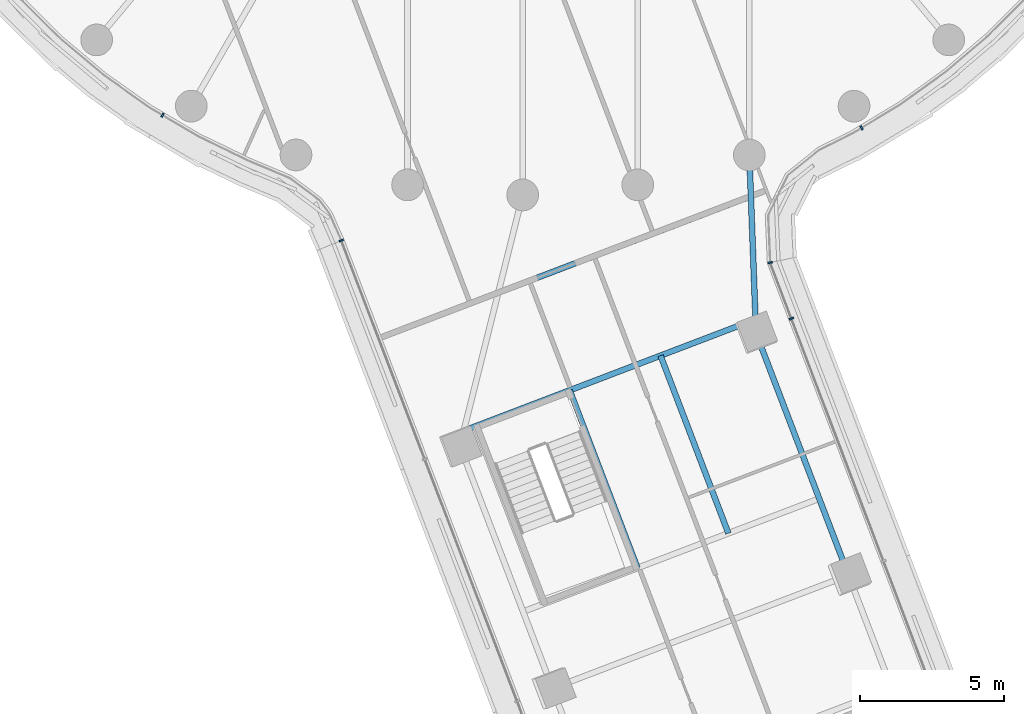
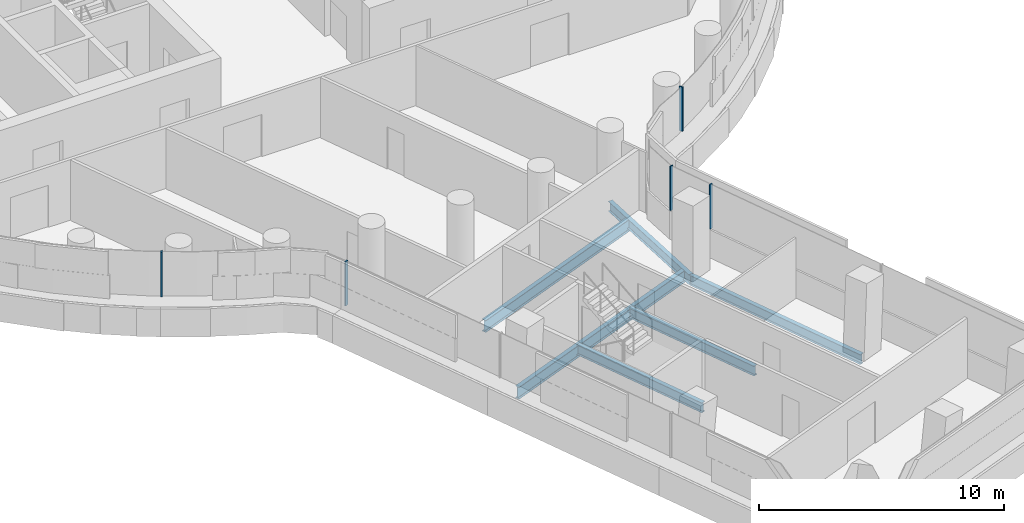
# One storey, part 3 of 32: 6 beams, 5 members, 4 elements without a shape of their own.
"""IFC4 building model written with IfcOpenShell, lengths in metres."""

from ifc_helpers import new_model, si_unit, direction, frame, origin, origin_2d, place, context, subcontext, project, spatial, rectangle, i_section, extrude, material, layer, layer_set, material_profile, profile_set, type_object, element, aggregate, save


model = new_model("IFC4")

# Units and contexts
model_context = context("Model", 3, precision=1e-05, world=origin(), true_north=direction((0.0, 1.0)))
body_context = subcontext(model_context, "Body", "Model", "MODEL_VIEW")
ifc_project = project(units=[si_unit("LENGTHUNIT", "METRE"), si_unit("AREAUNIT", "SQUARE_METRE"), si_unit("VOLUMEUNIT", "CUBIC_METRE"), si_unit("PLANEANGLEUNIT", "RADIAN"), si_unit("MASSUNIT", "GRAM", prefix="KILO")], contexts=[model_context])

# Site, building, storey
site_placement = place(None, origin())
site = spatial("IfcSite", under=ifc_project, at=site_placement, CompositionType="ELEMENT")
building_placement = place(site_placement, origin())
building = spatial("IfcBuilding", under=site, at=building_placement, Name="Tamarind Cross Interchange Tower", CompositionType="ELEMENT")
storey_placement = place(building_placement, frame((0.0, 0.0, 109.75)))
storey = spatial("IfcBuildingStorey", under=building, at=storey_placement, Name="L26", CompositionType="ELEMENT", Elevation=109.75)

# Beams
ifc_material_1 = material(Name="Steel Q355B", Category="steel")
ifc_material_profile_1 = material_profile(ifc_material_1, i_section(OverallWidth=0.198974609375, OverallDepth=0.49609375, WebThickness=0.009033203125, FlangeThickness=0.013916015625, FilletRadius=0.012939453125, at=origin_2d()), Name="HN 496x199x9x14")
ifc_profile_set_1 = profile_set([ifc_material_profile_1], Name="Steel Q355B")
beam_type_1 = type_object("IfcBeamType", Name="Composite beam HN 496x199x9x14 Q355B", PredefinedType="BEAM", material=ifc_profile_set_1)
beam_1_placement = place(storey_placement, frame((11.30859375, -36.200439453125, -0.387939453125), z_axis=(-0.356667558645, 0.934231369956, 0.0), x_axis=(-0.934231369956, -0.356667558645, 0.0)))
element("IfcBeam", 1, at=beam_1_placement, inside=storey, type_object=beam_type_1, Name="Beam S-edgeep3", PredefinedType="BEAM", context=body_context, shape_type="SweptSolid", body=[
    extrude(i_section(OverallWidth=0.198974609375, OverallDepth=0.49609375, WebThickness=0.009033203125, FlangeThickness=0.013916015625, FilletRadius=0.012939453125, at=origin_2d()), origin(), (0.0, 0.0, 1.0), 8.999755859375),
])
beam_2_placement = place(storey_placement, frame((8.0986328125, -27.79248046875, -0.387939453125), z_axis=(-0.037546104323, 0.99929489644, 0.0), x_axis=(-0.99929489644, -0.037546104323, 0.0)))
element("IfcBeam", 2, at=beam_2_placement, inside=storey, type_object=beam_type_1, Name="Beam S-linkep", PredefinedType="BEAM", context=body_context, shape_type="SweptSolid", body=[
    extrude(i_section(OverallWidth=0.198974609375, OverallDepth=0.49609375, WebThickness=0.009033203125, FlangeThickness=0.013916015625, FilletRadius=0.012939453125, at=origin_2d()), origin(), (0.0, 0.0, 1.0), 6.183837890625),
])
for number, where, z_axis, x_axis, name in (
    (3, (1.632080078125, -29.779541015625, -0.387939453125), (0.356662824508, -0.934233177325, 0.0), (0.934233177325, 0.356662824508, 0.0), "Beam S-tr1"),
    (4, (4.78515625, -28.57568359375, -0.387939453125), (0.356662824508, -0.934233177325, 0.0), (0.934233177325, 0.356662824508, 0.0), "Beam S-stripp"),
):
    element("IfcBeam", number, at=place(storey_placement, frame(where, z_axis=z_axis, x_axis=x_axis)), inside=storey, type_object=beam_type_1, Name=name, PredefinedType="BEAM", context=body_context, shape_type="SweptSolid", body=[
        extrude(i_section(OverallWidth=0.198974609375, OverallDepth=0.49609375, WebThickness=0.009033203125, FlangeThickness=0.013916015625, FilletRadius=0.012939453125, at=origin_2d()), origin(), (0.0, 0.0, 1.0), 6.60009765625),
    ])
ifc_material_profile_2 = material_profile(ifc_material_1, i_section(OverallWidth=0.199951171875, OverallDepth=0.60009765625, WebThickness=0.010986328125, FlangeThickness=0.01708984375, FilletRadius=0.012939453125, at=origin_2d()), Name="HN 600x200x11x17")
ifc_profile_set_2 = profile_set([ifc_material_profile_2], Name="Steel Q355B")
beam_type_2 = type_object("IfcBeamType", Name="Composite beam HN 600x200x11x17 Q355B", PredefinedType="BEAM", material=ifc_profile_set_2)
beam_3_placement = place(storey_placement, frame((-2.044921875, -31.183349609375, -0.43994140625), z_axis=(0.934232715509, 0.356664034174, 0.0), x_axis=(-0.356664034174, 0.934232715509, 0.0)))
element("IfcBeam", 5, at=beam_3_placement, inside=storey, type_object=beam_type_2, Name="Beam S-x298", PredefinedType="BEAM", context=body_context, shape_type="SweptSolid", body=[
    extrude(i_section(OverallWidth=0.199951171875, OverallDepth=0.60009765625, WebThickness=0.010986328125, FlangeThickness=0.01708984375, FilletRadius=0.012939453125, at=origin_2d()), origin(), (0.0, 0.0, 1.0), 10.838623046875),
])
beam_4_placement = place(storey_placement, frame((-0.847412109375, -26.39111328125, -0.43994140625), z_axis=(0.934225793976, 0.356682163656, 0.0), x_axis=(-0.356682163656, 0.934225793976, 0.0)))
element("IfcBeam", 6, at=beam_4_placement, inside=storey, type_object=beam_type_2, Name="Beam S-x258", PredefinedType="BEAM", context=body_context, shape_type="SweptSolid", body=[
    extrude(i_section(OverallWidth=0.199951171875, OverallDepth=0.60009765625, WebThickness=0.010986328125, FlangeThickness=0.01708984375, FilletRadius=0.012939453125, at=origin_2d()), origin(), (0.0, 0.0, 1.0), 9.384765625),
])

# Curtain wall, member
ifc_material_2 = material(Name="Aluminium 6063-T6", Category="aluminium")
ifc_layer = layer(ifc_material_2, 0.159912109375)
ifc_layer_set = layer_set([ifc_layer], Name="Aluminium 6063-T6")
curtain_wall_type = type_object("IfcCurtainWallType", Name="Office curtain wall, 9.0 m bays", PredefinedType="NOTDEFINED", material=ifc_layer_set)
curtain_wall_1_placement = place(storey_placement, origin())
curtain_wall_1 = element("IfcCurtainWall", 7, at=curtain_wall_1_placement, inside=storey, type_object=curtain_wall_type, Name="CWS-L26-02", PredefinedType="NOTDEFINED")
ifc_material_profile_3 = material_profile(ifc_material_2, rectangle(XDim=0.06005859375, YDim=0.159912109375, at=origin_2d()), Name="Mullion CW1")
ifc_profile_set_3 = profile_set([ifc_material_profile_3], Name="Aluminium 6063-T6")
member_type = type_object("IfcMemberType", Name="Mullion CW1", PredefinedType="MULLION", material=ifc_profile_set_3)
member_1_placement = place(storey_placement, frame((-12.49951171875, -20.23046875, 1.39990234375), z_axis=(0.0, 0.0, 1.0), x_axis=(0.861248933065, -0.508183308752, 0.0)))
member_1 = element("IfcMember", 8, at=member_1_placement, type_object=member_type, Name="CWM-L26-02-02", PredefinedType="MULLION", context=body_context, shape_type="SweptSolid", body=[
    extrude(rectangle(XDim=0.06005859375, YDim=0.159912109375, at=origin_2d()), origin(), (0.0, 0.0, 1.0), 2.210205078125),
])
aggregate(curtain_wall_1, [member_1])

curtain_wall_2_placement = place(storey_placement, origin())
curtain_wall_2 = element("IfcCurtainWall", 9, at=curtain_wall_2_placement, inside=storey, type_object=curtain_wall_type, Name="CWS-L26-03", PredefinedType="NOTDEFINED")
member_2_placement = place(storey_placement, frame((-6.293212890625, -24.5810546875, 1.39990234375), z_axis=(0.0, 0.0, 1.0), x_axis=(0.380165480252, -0.924918487017, 0.0)))
member_2 = element("IfcMember", 10, at=member_2_placement, type_object=member_type, Name="CWM-L26-03-00", PredefinedType="MULLION", context=body_context, shape_type="SweptSolid", body=[
    extrude(rectangle(XDim=0.06005859375, YDim=0.159912109375, at=origin_2d()), origin(), (0.0, 0.0, 1.0), 2.210205078125),
])
aggregate(curtain_wall_2, [member_2])

curtain_wall_3_placement = place(storey_placement, origin())
curtain_wall_3 = element("IfcCurtainWall", 11, at=curtain_wall_3_placement, inside=storey, type_object=curtain_wall_type, Name="CWS-L26-05", PredefinedType="NOTDEFINED")
member_3_placement = place(storey_placement, frame((9.326904296875, -27.289306640625, 1.39990234375), z_axis=(0.0, 0.0, 1.0), x_axis=(-0.355185773082, 0.934795735228, 0.0)))
member_3 = element("IfcMember", 12, at=member_3_placement, type_object=member_type, Name="CWM-L26-05-02", PredefinedType="MULLION", context=body_context, shape_type="SweptSolid", body=[
    extrude(rectangle(XDim=0.06005859375, YDim=0.159912109375, at=origin_2d()), origin(), (0.0, 0.0, 1.0), 2.210205078125),
])
aggregate(curtain_wall_3, [member_3])

# Curtain wall, members
curtain_wall_4_placement = place(storey_placement, origin())
curtain_wall_4 = element("IfcCurtainWall", 13, at=curtain_wall_4_placement, inside=storey, type_object=curtain_wall_type, Name="CWS-L26-06", PredefinedType="NOTDEFINED")
member_4_placement = place(storey_placement, frame((8.588623046875, -25.34619140625, 1.39990234375), z_axis=(0.0, 0.0, 1.0), x_axis=(-0.201536801334, 0.979480943004, 0.0)))
member_4 = element("IfcMember", 14, at=member_4_placement, type_object=member_type, Name="CWM-L26-06-00", PredefinedType="MULLION", context=body_context, shape_type="SweptSolid", body=[
    extrude(rectangle(XDim=0.06005859375, YDim=0.159912109375, at=origin_2d()), origin(), (0.0, 0.0, 1.0), 2.210205078125),
])
member_5_placement = place(storey_placement, frame((11.758544921875, -20.67236328125, 1.39990234375), z_axis=(0.0, 0.0, 1.0), x_axis=(0.856843065292, 0.515577308909, 0.0)))
member_5 = element("IfcMember", 15, at=member_5_placement, type_object=member_type, Name="CWM-L26-06-01", PredefinedType="MULLION", context=body_context, shape_type="SweptSolid", body=[
    extrude(rectangle(XDim=0.06005859375, YDim=0.159912109375, at=origin_2d()), origin(), (0.0, 0.0, 1.0), 2.210205078125),
])
aggregate(curtain_wall_4, [member_4, member_5])

save(model, "model.ifc")
